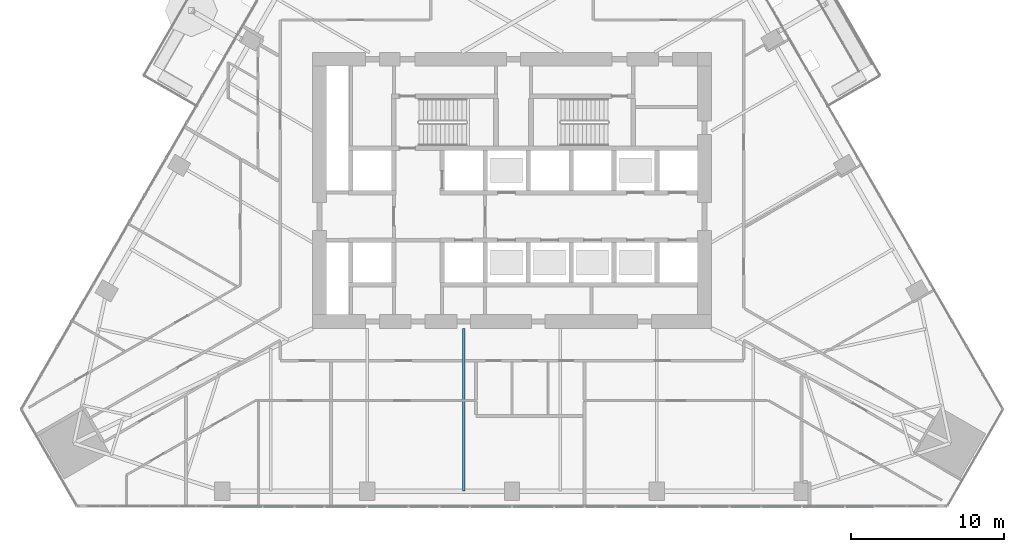
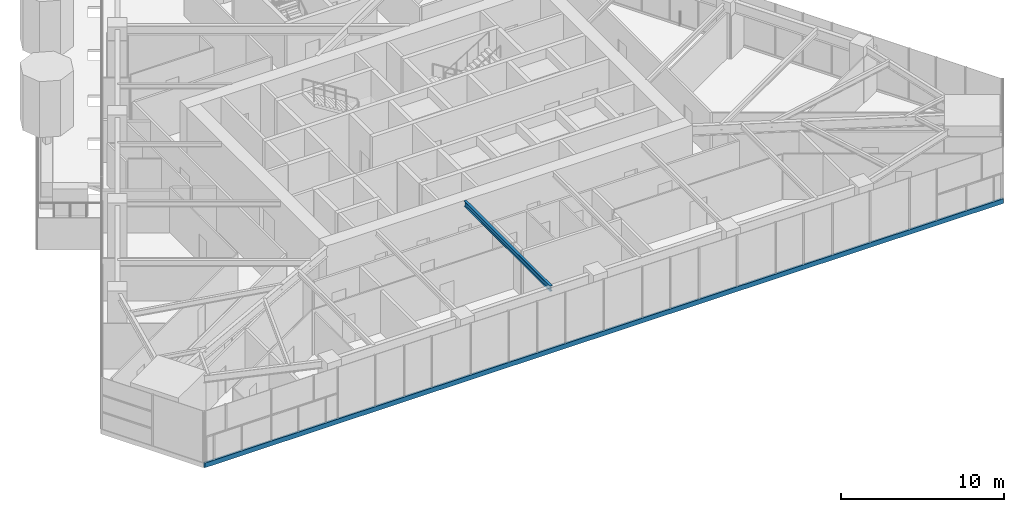
# One storey, part 3 of 25: 1 beam, 1 member, 1 element without a shape of its own.
"""IFC4 building model written with IfcOpenShell, lengths in metres."""

from ifc_helpers import new_model, si_unit, direction, frame, origin, origin_2d, place, context, subcontext, project, spatial, rectangle, i_section, extrude, material, layer, layer_set, material_profile, profile_set, type_object, element, aggregate, save


model = new_model("IFC4")

# Units and contexts
model_context = context("Model", 3, precision=1e-05, world=origin(), true_north=direction((0.0, 1.0)))
body_context = subcontext(model_context, "Body", "Model", "MODEL_VIEW")
ifc_project = project(units=[si_unit("LENGTHUNIT", "METRE"), si_unit("AREAUNIT", "SQUARE_METRE"), si_unit("VOLUMEUNIT", "CUBIC_METRE"), si_unit("PLANEANGLEUNIT", "RADIAN"), si_unit("MASSUNIT", "GRAM", prefix="KILO")], contexts=[model_context])

# Site, building, storey
site_placement = place(None, origin())
site = spatial("IfcSite", under=ifc_project, at=site_placement, CompositionType="ELEMENT")
building_placement = place(site_placement, origin())
building = spatial("IfcBuilding", under=site, at=building_placement, Name="Firuza Gate Tower and Library", CompositionType="ELEMENT")
storey_placement = place(building_placement, frame((0.0, 0.0, 86.199951171875)))
storey = spatial("IfcBuildingStorey", under=building, at=storey_placement, Name="L19", CompositionType="ELEMENT", Elevation=86.199951171875)

# Curtain wall, member
ifc_material_1 = material(Name="Aluminium 6063-T6", Category="aluminium")
ifc_layer = layer(ifc_material_1, 0.14990234375)
ifc_layer_set = layer_set([ifc_layer], Name="Unitised curtain wall, offices")
curtain_wall_type = type_object("IfcCurtainWallType", Name="Unitised curtain wall, offices", PredefinedType="NOTDEFINED", material=ifc_layer_set)
curtain_wall_placement = place(storey_placement, origin())
curtain_wall = element("IfcCurtainWall", 1, at=curtain_wall_placement, inside=storey, type_object=curtain_wall_type, Name="CW1 L19 S face", PredefinedType="NOTDEFINED")
ifc_material_2 = material(Name="Aluminium 6063-T6", Category="aluminium")
ifc_material_profile_1 = material_profile(ifc_material_2, rectangle(XDim=0.14990234375, YDim=0.35009765625, at=origin_2d()))
ifc_profile_set_1 = profile_set([ifc_material_profile_1], Name="Aluminium 6063-T6")
member_type = type_object("IfcMemberType", Name="Curtain wall transom 350x150", PredefinedType="USERDEFINED", material=ifc_profile_set_1)
member_placement = place(storey_placement, frame((46.648193359375, 54.42431640625, -0.02490234375), z_axis=(1.0, 0.0, 0.0), x_axis=(0.0, 1.0, 0.0)))
member = element("IfcMember", 2, at=member_placement, type_object=member_type, Name="Transom", ObjectType="TRANSOM", PredefinedType="USERDEFINED", context=body_context, shape_type="SweptSolid", body=[
    extrude(rectangle(XDim=0.14990234375, YDim=0.35009765625, at=origin_2d()), origin(), (0.0, 0.0, 1.0), 56.70361328125),
])
aggregate(curtain_wall, [member])

# Beam
ifc_material_3 = material(Name="Steel S355", Category="steel")
ifc_material_profile_2 = material_profile(ifc_material_3, i_section(OverallWidth=0.177978515625, OverallDepth=0.406982421875, WebThickness=0.0078125, FlangeThickness=0.0126953125, at=origin_2d()))
ifc_profile_set_2 = profile_set([ifc_material_profile_2], Name="Steel S355")
beam_type = type_object("IfcBeamType", Name="W410x60 Floor beam", PredefinedType="JOIST", material=ifc_profile_set_2)
beam_placement = place(storey_placement, frame((71.854736328125, 55.399169921875, 3.796630859375), z_axis=(0.0, 1.0, 0.0), x_axis=(-1.0, 0.0, 0.0)))
element("IfcBeam", 3, at=beam_placement, inside=storey, type_object=beam_type, Name="Floor beam L19 s22", PredefinedType="JOIST", context=body_context, shape_type="SweptSolid", body=[
    extrude(i_section(OverallWidth=0.177978515625, OverallDepth=0.406982421875, WebThickness=0.0078125, FlangeThickness=0.0126953125, at=origin_2d()), origin(), (0.0, 0.0, 1.0), 10.600830078125),
])

save(model, "model.ifc")
